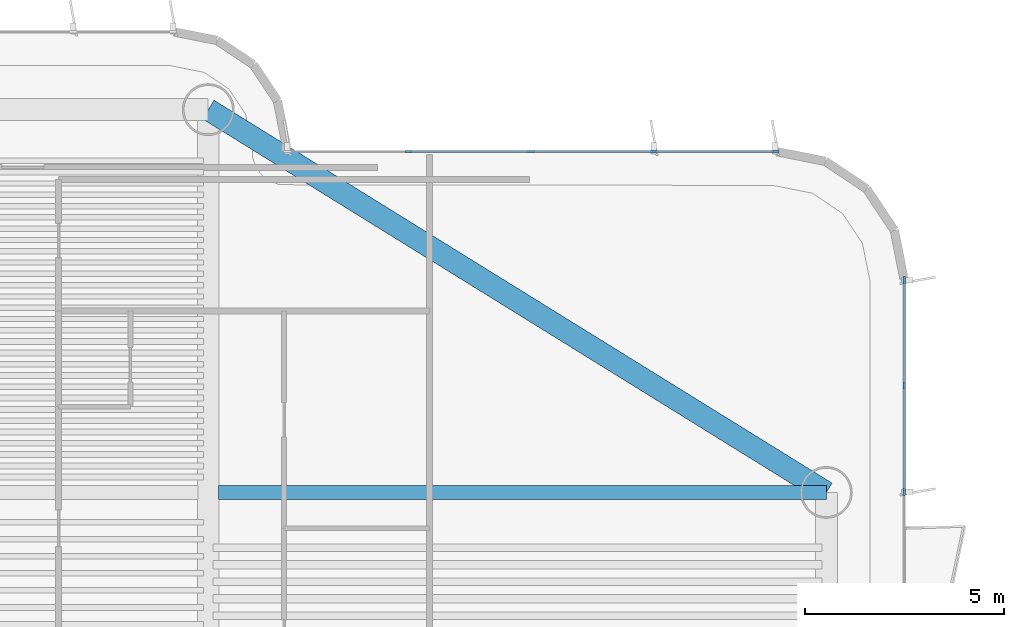
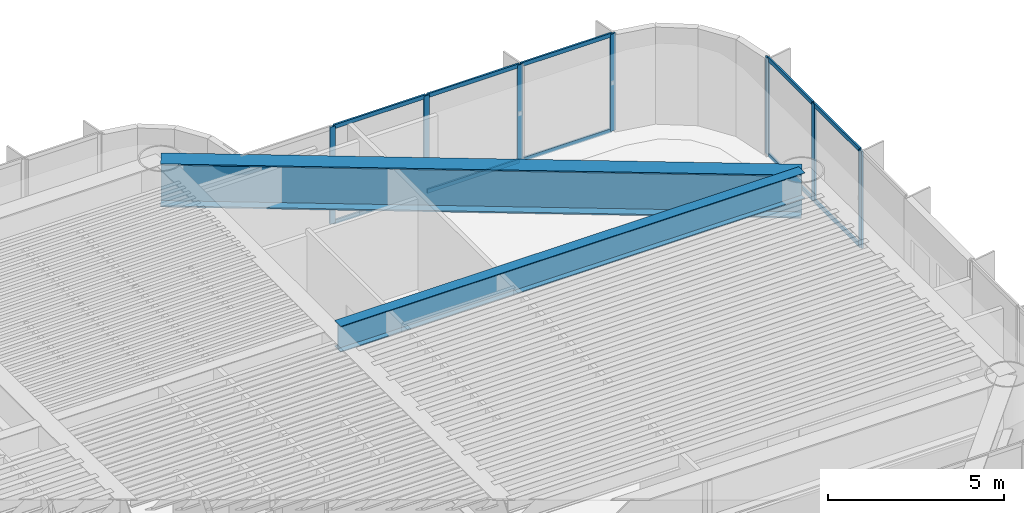
# One storey, part 6 of 15: 17 members, 2 beams, 2 elements without a shape of their own.
"""IFC4 building model written with IfcOpenShell, lengths in metres."""

from ifc_helpers import new_model, si_unit, direction, frame, origin, origin_2d, place, context, subcontext, project, spatial, rectangle, i_section, extrude, source, transform, mapped, material, layer, layer_set, material_profile, profile_set, type_object, element, aggregate, save


model = new_model("IFC4")

# Units and contexts
model_context = context("Model", 3, precision=1e-05, world=origin(), true_north=direction((0.0, 1.0)))
body_context = subcontext(model_context, "Body", "Model", "MODEL_VIEW")
ifc_project = project(units=[si_unit("LENGTHUNIT", "METRE"), si_unit("AREAUNIT", "SQUARE_METRE"), si_unit("VOLUMEUNIT", "CUBIC_METRE"), si_unit("PLANEANGLEUNIT", "RADIAN"), si_unit("MASSUNIT", "GRAM", prefix="KILO")], contexts=[model_context])

# Site, building, storey
site_placement = place(None, origin())
site = spatial("IfcSite", under=ifc_project, at=site_placement, CompositionType="ELEMENT")
building_placement = place(site_placement, origin())
building = spatial("IfcBuilding", under=site, at=building_placement, Name="Brelvock Crest Care Tower", CompositionType="ELEMENT")
storey_placement = place(building_placement, frame((0.0, 0.0, 142.739990234375)))
storey = spatial("IfcBuildingStorey", under=building, at=storey_placement, Name="L36", CompositionType="ELEMENT", Elevation=142.739990234375)

# Beams
ifc_material_1 = material(Name="Steel Grade 350", Category="steel")
ifc_material_profile_1 = material_profile(ifc_material_1, i_section(OverallWidth=0.35009765625, OverallDepth=0.89990234375, WebThickness=0.01611328125, FlangeThickness=0.028076171875, at=origin_2d()), Name="900WB257")
ifc_profile_set_1 = profile_set([ifc_material_profile_1], Name="Steel Grade 350")
beam_type_1 = type_object("IfcBeamType", Name="BM-G6", PredefinedType="BEAM", material=ifc_profile_set_1)
shared_shape_1 = source(origin(), body_context, "Body", "SweptSolid", [
    extrude(i_section(OverallWidth=0.35009765625, OverallDepth=0.89990234375, WebThickness=0.01611328125, FlangeThickness=0.028076171875, at=origin_2d()), origin(), (0.0, 0.0, 1.0), 15.239990234375),
])
beam_1_placement = place(storey_placement, frame((40.909912109375, 38.85009765625, 2.922119140625), z_axis=(1.0, 0.0, 0.0), x_axis=(0.0, 1.0, 0.0)))
element("IfcBeam", 1, at=beam_1_placement, inside=storey, type_object=beam_type_1, Name="BM-TIE-L36-E", PredefinedType="BEAM", context=body_context, shape_type="MappedRepresentation", body=[
    mapped(shared_shape_1, transform((0.0, 0.0, 0.0), x_axis=(1.0, 0.0, 0.0), y_axis=(0.0, 1.0, 0.0), z_axis=(0.0, 0.0, 1.0), scale=1.0)),
])
ifc_material_profile_2 = material_profile(ifc_material_1, i_section(OverallWidth=0.550048828125, OverallDepth=1.5, WebThickness=0.02392578125, FlangeThickness=0.044921875, at=origin_2d()), Name="1500TG580")
ifc_profile_set_2 = profile_set([ifc_material_profile_2], Name="Steel Grade 350")
beam_type_2 = type_object("IfcBeamType", Name="BM-TG2", PredefinedType="USERDEFINED", material=ifc_profile_set_2)
shared_shape_2 = source(origin(), body_context, "Body", "SweptSolid", [
    extrude(i_section(OverallWidth=0.550048828125, OverallDepth=1.5, WebThickness=0.02392578125, FlangeThickness=0.044921875, at=origin_2d()), origin(), (0.0, 0.0, 1.0), 18.23193359375),
])
beam_2_placement = place(storey_placement, frame((40.64990234375, 48.449951171875, 2.6220703125), z_axis=(0.85015183248, -0.526537616635, 0.0), x_axis=(0.526537616635, 0.85015183248, 0.0)))
element("IfcBeam", 2, at=beam_2_placement, inside=storey, type_object=beam_type_2, Name="BM-TWR-L36-07", ObjectType="GIRDER", PredefinedType="USERDEFINED", context=body_context, shape_type="MappedRepresentation", body=[
    mapped(shared_shape_2, transform((0.0, 0.0, 0.0), x_axis=(1.0, 0.0, 0.0), y_axis=(0.0, 1.0, 0.0), z_axis=(0.0, 0.0, 1.0), scale=1.0)),
])

# Curtain wall, members
ifc_material_2 = material(Name="Dark Glass Double Glazed Low-E", Category="glass")
ifc_layer = layer(ifc_material_2, 0.2099609375, Name="CWS-3")
ifc_layer_set = layer_set([ifc_layer], Name="Dark Glass Double Glazed Low-E")
curtain_wall_type = type_object("IfcCurtainWallType", Name="CWS-3", PredefinedType="NOTDEFINED", material=ifc_layer_set)
curtain_wall_1_placement = place(storey_placement, origin())
curtain_wall_1 = element("IfcCurtainWall", 3, at=curtain_wall_1_placement, inside=storey, type_object=curtain_wall_type, Name="L36 Curtain Wall E34", PredefinedType="NOTDEFINED")
ifc_material_3 = material(Name="Aluminium 6063-T6", Category="aluminium")
ifc_material_profile_3 = material_profile(ifc_material_3, rectangle(XDim=0.06005859375, YDim=0.139892578125, at=origin_2d()), Name="ALU60x140")
ifc_profile_set_3 = profile_set([ifc_material_profile_3], Name="Aluminium 6063-T6")
member_type_1 = type_object("IfcMemberType", Name="CWT-2", PredefinedType="USERDEFINED", material=ifc_profile_set_3)
shared_shape_3 = source(origin(), body_context, "Body", "SweptSolid", [
    extrude(rectangle(XDim=0.06005859375, YDim=0.139892578125, at=origin_2d()), origin(), (0.0, 0.0, 1.0), 2.985107421875),
])
member_1_placement = place(storey_placement, frame((51.85498046875, 47.39990234375, 0.030029296875), z_axis=(1.0, 0.0, 0.0), x_axis=(0.0, 1.0, 0.0)))
member_1 = element("IfcMember", 4, at=member_1_placement, type_object=member_type_1, Name="CW-3 transom 4.1", ObjectType="TRANSOM", PredefinedType="USERDEFINED", context=body_context, shape_type="MappedRepresentation", body=[
    mapped(shared_shape_3, transform((0.0, 0.0, 0.0), x_axis=(1.0, 0.0, 0.0), y_axis=(0.0, 1.0, 0.0), z_axis=(0.0, 0.0, 1.0), scale=1.0)),
])
member_2_placement = place(storey_placement, frame((51.85498046875, 47.39990234375, 3.342041015625), z_axis=(1.0, 0.0, 0.0), x_axis=(0.0, 1.0, 0.0)))
member_2 = element("IfcMember", 5, at=member_2_placement, type_object=member_type_1, Name="CW-3 transom 4.2", ObjectType="TRANSOM", PredefinedType="USERDEFINED", context=body_context, shape_type="MappedRepresentation", body=[
    mapped(shared_shape_3, transform((0.0, 0.0, 0.0), x_axis=(1.0, 0.0, 0.0), y_axis=(0.0, 1.0, 0.0), z_axis=(0.0, 0.0, 1.0), scale=1.0)),
])
shared_shape_4 = source(origin(), body_context, "Body", "SweptSolid", [
    extrude(rectangle(XDim=0.06005859375, YDim=0.139892578125, at=origin_2d()), origin(), (0.0, 0.0, 1.0), 3.014892578125),
])
member_3_placement = place(storey_placement, frame((45.705078125, 47.39990234375, 0.030029296875), z_axis=(1.0, 0.0, 0.0), x_axis=(0.0, 1.0, 0.0)))
member_3 = element("IfcMember", 6, at=member_3_placement, type_object=member_type_1, Name="CW-3 transom 2.1", ObjectType="TRANSOM", PredefinedType="USERDEFINED", context=body_context, shape_type="MappedRepresentation", body=[
    mapped(shared_shape_4, transform((0.0, 0.0, 0.0), x_axis=(1.0, 0.0, 0.0), y_axis=(0.0, 1.0, 0.0), z_axis=(0.0, 0.0, 1.0), scale=1.0)),
])
member_4_placement = place(storey_placement, frame((45.705078125, 47.39990234375, 3.342041015625), z_axis=(1.0, 0.0, 0.0), x_axis=(0.0, 1.0, 0.0)))
member_4 = element("IfcMember", 7, at=member_4_placement, type_object=member_type_1, Name="CW-3 transom 2.2", ObjectType="TRANSOM", PredefinedType="USERDEFINED", context=body_context, shape_type="MappedRepresentation", body=[
    mapped(shared_shape_4, transform((0.0, 0.0, 0.0), x_axis=(1.0, 0.0, 0.0), y_axis=(0.0, 1.0, 0.0), z_axis=(0.0, 0.0, 1.0), scale=1.0)),
])
member_5_placement = place(storey_placement, frame((48.780029296875, 47.39990234375, 0.030029296875), z_axis=(1.0, 0.0, 0.0), x_axis=(0.0, 1.0, 0.0)))
member_5 = element("IfcMember", 8, at=member_5_placement, type_object=member_type_1, Name="CW-3 transom 3.1", ObjectType="TRANSOM", PredefinedType="USERDEFINED", context=body_context, shape_type="MappedRepresentation", body=[
    mapped(shared_shape_4, transform((0.0, 0.0, 0.0), x_axis=(1.0, 0.0, 0.0), y_axis=(0.0, 1.0, 0.0), z_axis=(0.0, 0.0, 1.0), scale=1.0)),
])
member_6_placement = place(storey_placement, frame((48.780029296875, 47.39990234375, 3.342041015625), z_axis=(1.0, 0.0, 0.0), x_axis=(0.0, 1.0, 0.0)))
member_6 = element("IfcMember", 9, at=member_6_placement, type_object=member_type_1, Name="CW-3 transom 3.2", ObjectType="TRANSOM", PredefinedType="USERDEFINED", context=body_context, shape_type="MappedRepresentation", body=[
    mapped(shared_shape_4, transform((0.0, 0.0, 0.0), x_axis=(1.0, 0.0, 0.0), y_axis=(0.0, 1.0, 0.0), z_axis=(0.0, 0.0, 1.0), scale=1.0)),
])

curtain_wall_2_placement = place(storey_placement, origin())
curtain_wall_2 = element("IfcCurtainWall", 10, at=curtain_wall_2_placement, inside=storey, type_object=curtain_wall_type, Name="L36 Curtain Wall E39A", PredefinedType="NOTDEFINED")
shared_shape_5 = source(origin(), body_context, "Body", "SweptSolid", [
    extrude(rectangle(XDim=0.06005859375, YDim=0.139892578125, at=origin_2d()), origin(), (0.0, 0.0, 1.0), 2.57666015625),
])
member_7_placement = place(storey_placement, frame((58.10009765625, 44.139892578125, 0.030029296875), z_axis=(0.0, -1.0, 0.0), x_axis=(1.0, 0.0, 0.0)))
member_7 = element("IfcMember", 11, at=member_7_placement, type_object=member_type_1, Name="CW-3 transom 1.1", ObjectType="TRANSOM", PredefinedType="USERDEFINED", context=body_context, shape_type="MappedRepresentation", body=[
    mapped(shared_shape_5, transform((0.0, 0.0, 0.0), x_axis=(1.0, 0.0, 0.0), y_axis=(0.0, 1.0, 0.0), z_axis=(0.0, 0.0, 1.0), scale=1.0)),
])
member_8_placement = place(storey_placement, frame((58.10009765625, 44.139892578125, 3.342041015625), z_axis=(0.0, -1.0, 0.0), x_axis=(1.0, 0.0, 0.0)))
member_8 = element("IfcMember", 12, at=member_8_placement, type_object=member_type_1, Name="CW-3 transom 1.2", ObjectType="TRANSOM", PredefinedType="USERDEFINED", context=body_context, shape_type="MappedRepresentation", body=[
    mapped(shared_shape_5, transform((0.0, 0.0, 0.0), x_axis=(1.0, 0.0, 0.0), y_axis=(0.0, 1.0, 0.0), z_axis=(0.0, 0.0, 1.0), scale=1.0)),
])
shared_shape_6 = source(origin(), body_context, "Body", "SweptSolid", [
    extrude(rectangle(XDim=0.06005859375, YDim=0.139892578125, at=origin_2d()), origin(), (0.0, 0.0, 1.0), 2.606689453125),
])
member_9_placement = place(storey_placement, frame((58.10009765625, 41.50341796875, 0.030029296875), z_axis=(0.0, -1.0, 0.0), x_axis=(1.0, 0.0, 0.0)))
member_9 = element("IfcMember", 13, at=member_9_placement, type_object=member_type_1, Name="CW-3 transom 2.1", ObjectType="TRANSOM", PredefinedType="USERDEFINED", context=body_context, shape_type="MappedRepresentation", body=[
    mapped(shared_shape_6, transform((0.0, 0.0, 0.0), x_axis=(1.0, 0.0, 0.0), y_axis=(0.0, 1.0, 0.0), z_axis=(0.0, 0.0, 1.0), scale=1.0)),
])
member_10_placement = place(storey_placement, frame((58.10009765625, 41.50341796875, 3.342041015625), z_axis=(0.0, -1.0, 0.0), x_axis=(1.0, 0.0, 0.0)))
member_10 = element("IfcMember", 14, at=member_10_placement, type_object=member_type_1, Name="CW-3 transom 2.2", ObjectType="TRANSOM", PredefinedType="USERDEFINED", context=body_context, shape_type="MappedRepresentation", body=[
    mapped(shared_shape_6, transform((0.0, 0.0, 0.0), x_axis=(1.0, 0.0, 0.0), y_axis=(0.0, 1.0, 0.0), z_axis=(0.0, 0.0, 1.0), scale=1.0)),
])

# Member
ifc_material_profile_4 = material_profile(ifc_material_3, rectangle(XDim=0.06005859375, YDim=0.179931640625, at=origin_2d()), Name="ALU60x180")
ifc_profile_set_4 = profile_set([ifc_material_profile_4], Name="Aluminium 6063-T6")
member_type_2 = type_object("IfcMemberType", Name="CWM-2", PredefinedType="MULLION", material=ifc_profile_set_4)
shared_shape_7 = source(origin(), body_context, "Body", "SweptSolid", [
    extrude(rectangle(XDim=0.06005859375, YDim=0.179931640625, at=origin_2d()), origin(), (0.0, 0.0, 1.0), 3.3720703125),
])
member_11_placement = place(storey_placement, frame((45.675048828125, 47.39990234375, 0.0), z_axis=(0.0, 0.0, 1.0), x_axis=(0.0, 1.0, 0.0)))
member_11 = element("IfcMember", 15, at=member_11_placement, type_object=member_type_2, Name="CW-3 mullion 2", PredefinedType="MULLION", context=body_context, shape_type="MappedRepresentation", body=[
    mapped(shared_shape_7, transform((0.0, 0.0, 0.0), x_axis=(1.0, 0.0, 0.0), y_axis=(0.0, 1.0, 0.0), z_axis=(0.0, 0.0, 1.0), scale=1.0)),
])

member_12_placement = place(storey_placement, frame((48.75, 47.39990234375, 0.0), z_axis=(0.0, 0.0, 1.0), x_axis=(0.0, 1.0, 0.0)))
member_12 = element("IfcMember", 16, at=member_12_placement, type_object=member_type_2, Name="CW-3 mullion 3", PredefinedType="MULLION", context=body_context, shape_type="MappedRepresentation", body=[
    mapped(shared_shape_7, transform((0.0, 0.0, 0.0), x_axis=(1.0, 0.0, 0.0), y_axis=(0.0, 1.0, 0.0), z_axis=(0.0, 0.0, 1.0), scale=1.0)),
])

member_13_placement = place(storey_placement, frame((51.824951171875, 47.39990234375, 0.0), z_axis=(0.0, 0.0, 1.0), x_axis=(0.0, 1.0, 0.0)))
member_13 = element("IfcMember", 17, at=member_13_placement, type_object=member_type_2, Name="CW-3 mullion 4", PredefinedType="MULLION", context=body_context, shape_type="MappedRepresentation", body=[
    mapped(shared_shape_7, transform((0.0, 0.0, 0.0), x_axis=(1.0, 0.0, 0.0), y_axis=(0.0, 1.0, 0.0), z_axis=(0.0, 0.0, 1.0), scale=1.0)),
])

member_14_placement = place(storey_placement, frame((54.8701171875, 47.39990234375, 0.0), z_axis=(0.0, 0.0, 1.0), x_axis=(0.0, 1.0, 0.0)))
member_14 = element("IfcMember", 18, at=member_14_placement, type_object=member_type_2, Name="CW-3 mullion 5", PredefinedType="MULLION", context=body_context, shape_type="MappedRepresentation", body=[
    mapped(shared_shape_7, transform((0.0, 0.0, 0.0), x_axis=(1.0, 0.0, 0.0), y_axis=(0.0, 1.0, 0.0), z_axis=(0.0, 0.0, 1.0), scale=1.0)),
])

aggregate(curtain_wall_1, [member_11, member_12, member_13, member_14, member_3, member_4, member_5, member_6, member_1, member_2])

member_15_placement = place(storey_placement, frame((58.10009765625, 44.169921875, 0.0), z_axis=(0.0, 0.0, 1.0), x_axis=(1.0, 0.0, 0.0)))
member_15 = element("IfcMember", 19, at=member_15_placement, type_object=member_type_2, Name="CW-3 mullion 1", PredefinedType="MULLION", context=body_context, shape_type="MappedRepresentation", body=[
    mapped(shared_shape_7, transform((0.0, 0.0, 0.0), x_axis=(1.0, 0.0, 0.0), y_axis=(0.0, 1.0, 0.0), z_axis=(0.0, 0.0, 1.0), scale=1.0)),
])

member_16_placement = place(storey_placement, frame((58.10009765625, 41.533447265625, 0.0), z_axis=(0.0, 0.0, 1.0), x_axis=(1.0, 0.0, 0.0)))
member_16 = element("IfcMember", 20, at=member_16_placement, type_object=member_type_2, Name="CW-3 mullion 2", PredefinedType="MULLION", context=body_context, shape_type="MappedRepresentation", body=[
    mapped(shared_shape_7, transform((0.0, 0.0, 0.0), x_axis=(1.0, 0.0, 0.0), y_axis=(0.0, 1.0, 0.0), z_axis=(0.0, 0.0, 1.0), scale=1.0)),
])

member_17_placement = place(storey_placement, frame((58.10009765625, 38.86669921875, 0.0), z_axis=(0.0, 0.0, 1.0), x_axis=(1.0, 0.0, 0.0)))
member_17 = element("IfcMember", 21, at=member_17_placement, type_object=member_type_2, Name="CW-3 mullion 3", PredefinedType="MULLION", context=body_context, shape_type="MappedRepresentation", body=[
    mapped(shared_shape_7, transform((0.0, 0.0, 0.0), x_axis=(1.0, 0.0, 0.0), y_axis=(0.0, 1.0, 0.0), z_axis=(0.0, 0.0, 1.0), scale=1.0)),
])

aggregate(curtain_wall_2, [member_15, member_16, member_17, member_7, member_8, member_9, member_10])

save(model, "model.ifc")
